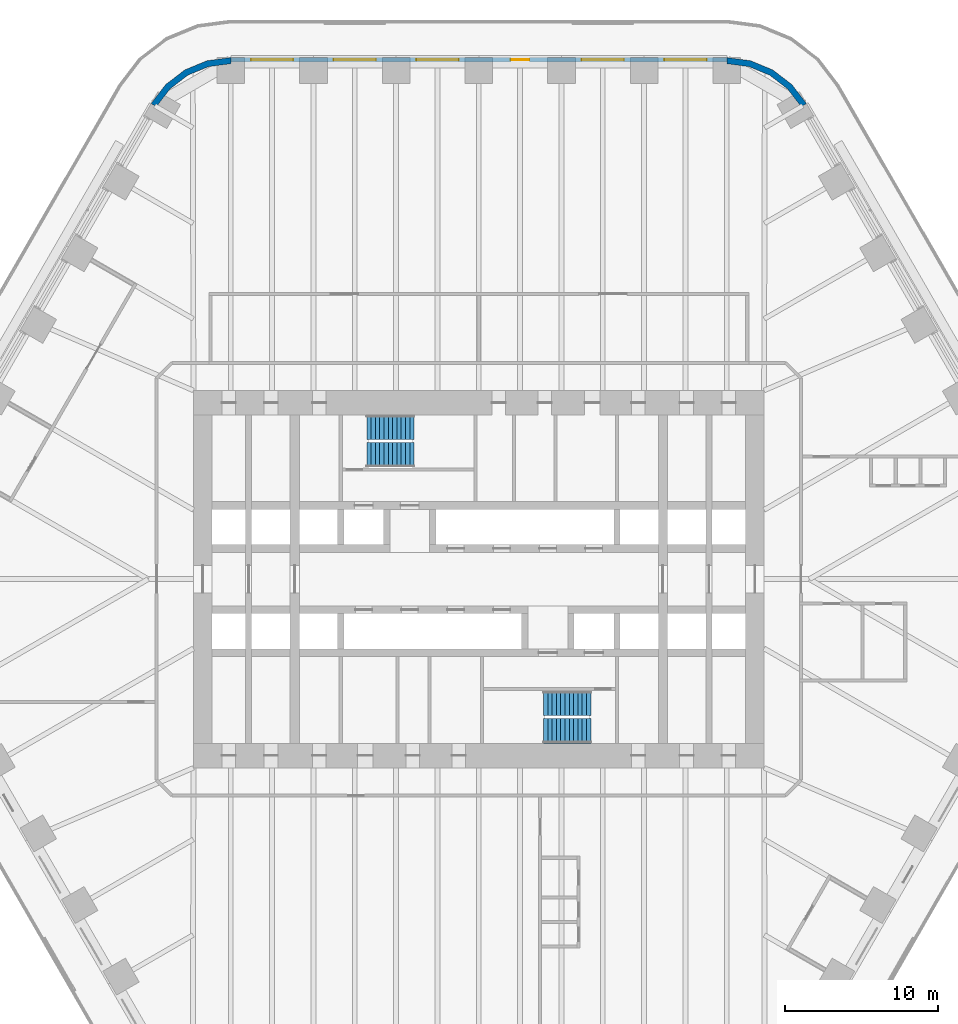
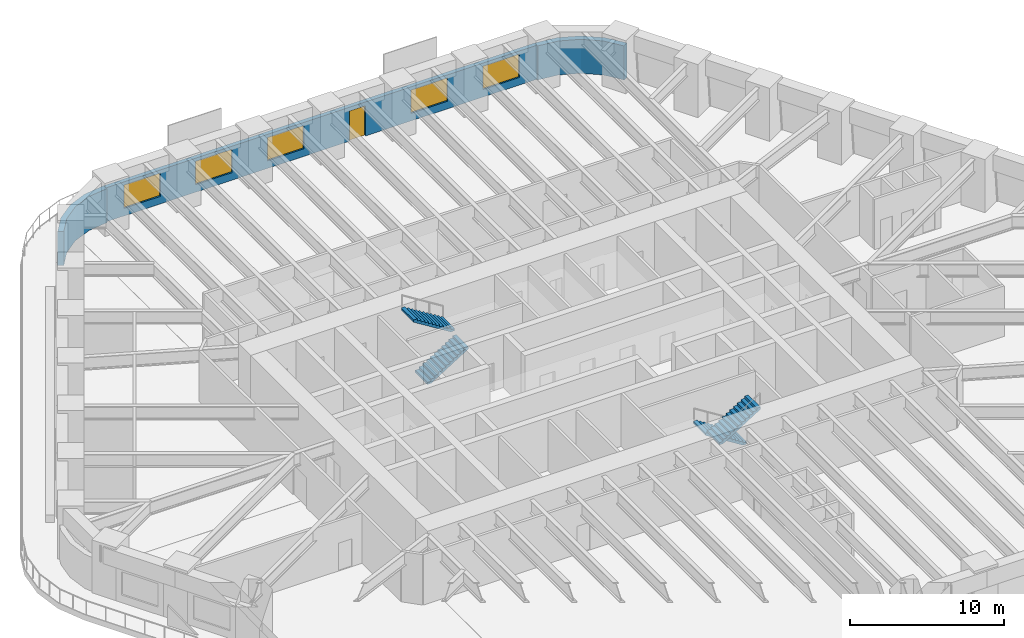
# One storey, part 21 of 24: 5 windows, 4 stair flights, 3 walls, 1 door, 6 openings, 2 elements without a shape of their own.
"""IFC4 building model written with IfcOpenShell, lengths in metres."""

import ifcopenshell
import ifcopenshell.guid

model = None  # the IFC model being written
_history = None  # IfcOwnerHistory: only IFC2X3 demands one
_inside = {}  # id of a spatial element -> (the spatial element, [elements in it])
_under = {}  # id of a project, library or spatial element -> (it, [spatial elements below it])
_declared = {}  # id of a project -> (the project, [libraries it declares])
_typed = {}  # id of a type object -> (the type object, [elements of that type])
_made_of = {}  # id of a material, layer set ... -> (it, [elements and type objects made of it])


def new_model(schema):
    """Start an empty IFC model of exactly this schema.

    Asked for "IFC4X3", IfcOpenShell would pick the latest addendum, in which some entities
    have other attributes; the version numbers below select the first issue.
    IFC2X3 requires an IfcOwnerHistory on every rooted entity: one is made here for all.
    """
    global model, _history
    if schema == "IFC4X3":
        model = ifcopenshell.file(schema_version=(4, 3, 0, 0))
    else:
        model = ifcopenshell.file(schema=schema)
    _inside.clear()
    _under.clear()
    _declared.clear()
    _typed.clear()
    _made_of.clear()
    _history = None
    if model.schema == "IFC2X3":
        org = make("IfcOrganization", Name="unknown")
        user = make(
            "IfcPersonAndOrganization",
            ThePerson=make("IfcPerson", FamilyName="unknown"),
            TheOrganization=org,
        )
        app = make(
            "IfcApplication",
            ApplicationDeveloper=org,
            Version="unknown",
            ApplicationFullName="unknown",
            ApplicationIdentifier="unknown",
        )
        _history = make(
            "IfcOwnerHistory",
            OwningUser=user,
            OwningApplication=app,
            ChangeAction="ADDED",
            CreationDate=0,
        )
    return model


def make(cls, **values):
    """One entity of the class cls with the attributes given. An attribute that is None is left unset."""
    return model.create_entity(
        cls, **{name: value for name, value in values.items() if value is not None}
    )


def rooted(cls, **values):
    """An entity with a GlobalId (a new one), such as an element, a storey or a relation."""
    return make(cls, GlobalId=ifcopenshell.guid.new(), OwnerHistory=_history, **values)


def si_unit(unit_type, name, prefix=None):
    """IfcSIUnit, for example si_unit("LENGTHUNIT", "METRE", prefix="MILLI")."""
    return make("IfcSIUnit", UnitType=unit_type, Prefix=prefix, Name=name)


def assignment(units):
    """IfcUnitAssignment: the units of a project."""
    return None if units is None else make("IfcUnitAssignment", Units=units)


def point(xyz):
    """IfcCartesianPoint."""
    return None if xyz is None else make("IfcCartesianPoint", Coordinates=xyz)


def direction(xyz):
    """IfcDirection."""
    return None if xyz is None else make("IfcDirection", DirectionRatios=xyz)


def frame(location, z_axis=None, x_axis=None):
    """IfcAxis2Placement3D, a coordinate frame: its origin and axes. An axis left out is left unset."""
    return make(
        "IfcAxis2Placement3D",
        Location=point(location),
        Axis=direction(z_axis),
        RefDirection=direction(x_axis),
    )


def frame_2d(location, x_axis=None):
    """IfcAxis2Placement2D, a coordinate frame in the plane: its origin and x axis."""
    return make(
        "IfcAxis2Placement2D", Location=point(location), RefDirection=direction(x_axis)
    )


def origin():
    """The frame at (0, 0, 0) with its axes left unset."""
    return frame((0.0, 0.0, 0.0))


def place(relative_to, where):
    """IfcLocalPlacement: puts the frame where relative to a parent placement (None: the world)."""
    return make(
        "IfcLocalPlacement", PlacementRelTo=relative_to, RelativePlacement=where
    )


def context(
    kind, dimensions, precision=None, world=None, true_north=None, identifier=None
):
    """IfcGeometricRepresentationContext, for example the 3D "Model" context."""
    return make(
        "IfcGeometricRepresentationContext",
        ContextIdentifier=identifier,
        ContextType=kind,
        CoordinateSpaceDimension=dimensions,
        Precision=precision,
        WorldCoordinateSystem=world,
        TrueNorth=true_north,
    )


def subcontext(parent, identifier, kind, view, scale=None):
    """IfcGeometricRepresentationSubContext, for example "Body" below "Model"."""
    return make(
        "IfcGeometricRepresentationSubContext",
        ContextIdentifier=identifier,
        ContextType=kind,
        ParentContext=parent,
        TargetScale=scale,
        TargetView=view,
    )


def project(units=None, contexts=None):
    """IfcProject with its units and contexts."""
    return rooted(
        "IfcProject",
        Name="project",
        RepresentationContexts=contexts,
        UnitsInContext=assignment(units),
    )


def spatial(cls, under=None, at=None, **own):
    """A site, building, storey or space (cls), placed at a placement, below another one or the project."""
    s = rooted(cls, ObjectPlacement=at, **own)
    if under is not None:
        _under.setdefault(under.id(), (under, []))[1].append(s)
    return s


def polyline(points):
    """IfcPolyline through the points."""
    return make("IfcPolyline", Points=[point(p) for p in points])


def profile(cls, at=None, kind="AREA", **sizes):
    """A parametric profile (cls). Its sizes go by their IFC names, for example OverallWidth=200.0."""
    return make(cls, ProfileType=kind, Position=at, **sizes)


def rectangle(**sizes):
    """IfcRectangleProfileDef."""
    return profile("IfcRectangleProfileDef", **sizes)


def outline(outer, holes=None, kind="AREA"):
    """IfcArbitraryClosedProfileDef: a profile drawn as a closed curve; with holes, ...WithVoids."""
    if holes is None:
        return make("IfcArbitraryClosedProfileDef", ProfileType=kind, OuterCurve=outer)
    return make(
        "IfcArbitraryProfileDefWithVoids",
        ProfileType=kind,
        OuterCurve=outer,
        InnerCurves=holes,
    )


def extrude(swept, where, along, depth):
    """IfcExtrudedAreaSolid: the profile swept, set in the frame where, extruded along a direction by depth."""
    return make(
        "IfcExtrudedAreaSolid",
        SweptArea=swept,
        Position=where,
        ExtrudedDirection=direction(along),
        Depth=depth,
    )


def shape(context_of_items, identifier, shape_type, items):
    """IfcShapeRepresentation: the items that make up one representation, for example the "Body"."""
    return make(
        "IfcShapeRepresentation",
        ContextOfItems=context_of_items,
        RepresentationIdentifier=identifier,
        RepresentationType=shape_type,
        Items=items,
    )


def material(Name=None, Category=None):
    """IfcMaterial."""
    return make("IfcMaterial", Name=Name, Category=Category)


def layer(
    of_material, thickness, ventilated=None, Name=None, Category=None, Priority=None
):
    """IfcMaterialLayer: one layer of a wall or slab, of a material (None: an air gap)."""
    return make(
        "IfcMaterialLayer",
        Material=of_material,
        LayerThickness=thickness,
        IsVentilated=ventilated,
        Name=Name,
        Category=Category,
        Priority=Priority,
    )


def layer_set(layers, Name=None):
    """IfcMaterialLayerSet."""
    return make("IfcMaterialLayerSet", MaterialLayers=layers, LayerSetName=Name)


def made_of(thing, what):
    """Note that an element or type object is made of a material, layer set ...; save() writes the relation."""
    if what is not None:
        _made_of.setdefault(what.id(), (what, []))[1].append(thing)
    return thing


def type_object(cls, material=None, **own):
    """A type object (cls), such as IfcWallType, which elements share."""
    return made_of(rooted(cls, **own), material)


def element(
    cls,
    number,
    at=None,
    inside=None,
    cuts=None,
    type_object=None,
    material=None,
    context=None,
    identifier="Body",
    shape_type=None,
    held_by="IfcProductDefinitionShape",
    body=None,
    shapes=None,
    **own,
):
    """One element of the class cls, such as IfcWall. Its Tag is "e" and its number.

    at: its placement. inside: the storey or other place that contains it. cuts: it is an
    opening in that element (IfcRelVoidsElement). A single representation is given by context,
    identifier, shape_type and body (its items); several are given by shapes. held_by: the class
    of the entity that holds the representations. save() writes the other relations.
    """
    e = rooted(cls, Tag="e%d" % number, ObjectPlacement=at, **own)
    if body is not None:
        shapes = [shape(context, identifier, shape_type, body)]
    if shapes is not None:
        e.Representation = make(held_by, Representations=shapes)
    if inside is not None:
        _inside.setdefault(inside.id(), (inside, []))[1].append(e)
    if cuts is not None:
        rooted(
            "IfcRelVoidsElement", RelatingBuildingElement=cuts, RelatedOpeningElement=e
        )
    if type_object is not None:
        _typed.setdefault(type_object.id(), (type_object, []))[1].append(e)
    return made_of(e, material)


def fill(opening, filler):
    """IfcRelFillsElement: the door or window that sits in an opening."""
    return rooted(
        "IfcRelFillsElement",
        RelatingOpeningElement=opening,
        RelatedBuildingElement=filler,
    )


def aggregate(whole, parts):
    """IfcRelAggregates: a whole, such as a stair, and the parts it consists of."""
    return rooted("IfcRelAggregates", RelatingObject=whole, RelatedObjects=parts)


def save(model, path):
    """Write the relations noted so far, then the file.

    IfcRelAggregates (storeys below a building ...), IfcRelContainedInSpatialStructure (elements
    in a storey), IfcRelDefinesByType, IfcRelAssociatesMaterial and IfcRelDeclares: one each for
    every whole, place, type object, material and project.
    """
    for whole, parts in _under.values():
        aggregate(whole, parts)
    for where, things in _inside.values():
        rooted(
            "IfcRelContainedInSpatialStructure",
            RelatedElements=things,
            RelatingStructure=where,
        )
    for kind, things in _typed.values():
        rooted("IfcRelDefinesByType", RelatedObjects=things, RelatingType=kind)
    for what, things in _made_of.values():
        rooted("IfcRelAssociatesMaterial", RelatedObjects=things, RelatingMaterial=what)
    for by, libraries in _declared.values():
        rooted("IfcRelDeclares", RelatingContext=by, RelatedDefinitions=libraries)
    model.write(path)


model = new_model("IFC4")

# Units and contexts
model_context = context("Model", 3, precision=1e-05, world=origin(), true_north=direction((0.0, 1.0)))
body_context = subcontext(model_context, "Body", "Model", "MODEL_VIEW")
ifc_project = project(units=[si_unit("LENGTHUNIT", "METRE"), si_unit("AREAUNIT", "SQUARE_METRE"), si_unit("VOLUMEUNIT", "CUBIC_METRE"), si_unit("PLANEANGLEUNIT", "RADIAN"), si_unit("MASSUNIT", "GRAM", prefix="KILO")], contexts=[model_context])

# Site, building, storey
site_placement = place(None, origin())
site = spatial("IfcSite", under=ifc_project, at=site_placement, CompositionType="ELEMENT")
building_placement = place(site_placement, origin())
building = spatial("IfcBuilding", under=site, at=building_placement, Name="Tarfa Lantern Tower", CompositionType="ELEMENT")
storey_placement = place(building_placement, frame((0.0, 0.0, 94.89990234375)))
storey = spatial("IfcBuildingStorey", under=building, at=storey_placement, Name="L21", CompositionType="ELEMENT", Elevation=94.89990234375)

# Wall, openings, door, windows
ifc_material_1 = material(Name="Limestone cladding on blockwork", Category="masonry")
ifc_layer_1 = layer(ifc_material_1, 0.300048828125)
ifc_layer_set_1 = layer_set([ifc_layer_1], Name="EW1 STONE-CLAD WALL 300")
wall_type_1 = type_object("IfcWallType", Name="EW1 STONE-CLAD WALL 300", PredefinedType="SOLIDWALL", material=ifc_layer_set_1)
wall_1_placement = place(storey_placement, frame((16.165771484375, 33.85009765625, 0.0), z_axis=(0.0, 0.0, 1.0), x_axis=(-1.0, 0.0, 0.0)))
wall_1 = element("IfcWall", 1, at=wall_1_placement, inside=storey, type_object=wall_type_1, Name="Stone wall N", PredefinedType="SOLIDWALL", context=body_context, shape_type="SweptSolid", body=[
    extrude(rectangle(XDim=32.33154296875, YDim=0.300048828125, at=frame_2d((16.165771484375, 0.0))), origin(), (0.0, 0.0, 1.0), 2.7001953125),
])
opening_1_placement = place(wall_1_placement, frame((1.3193359375, 0.0, 0.60009765625)))
opening_1 = element("IfcOpeningElement", 2, at=opening_1_placement, cuts=wall_1, Name="Opening W2", PredefinedType="OPENING", context=body_context, shape_type="SweptSolid", body=[
    extrude(rectangle(XDim=2.75, YDim=1.85009765625, at=frame_2d((1.375, 0.925048828125))), frame((0.0, 0.159912109375, 0.0), z_axis=(0.0, -1.0, 0.0), x_axis=(1.0, 0.0, 0.0)), (0.0, 0.0, 1.0), 0.320068359375),
])
opening_2_placement = place(wall_1_placement, frame((6.7080078125, 0.0, 0.60009765625)))
opening_2 = element("IfcOpeningElement", 3, at=opening_2_placement, cuts=wall_1, Name="Opening W2", PredefinedType="OPENING", context=body_context, shape_type="SweptSolid", body=[
    extrude(rectangle(XDim=2.75, YDim=1.85009765625, at=frame_2d((1.375, 0.925048828125))), frame((0.0, 0.159912109375, 0.0), z_axis=(0.0, -1.0, 0.0), x_axis=(1.0, 0.0, 0.0)), (0.0, 0.0, 1.0), 0.320068359375),
])
opening_3_placement = place(wall_1_placement, frame((12.87158203125, 0.0, 0.0)))
opening_3 = element("IfcOpeningElement", 4, at=opening_3_placement, cuts=wall_1, Name="Opening D48", PredefinedType="OPENING", context=body_context, shape_type="SweptSolid", body=[
    extrude(rectangle(XDim=1.199951171875, YDim=2.39990234375, at=frame_2d((0.60009765625, 1.199951171875))), frame((0.0, 0.159912109375, 0.0), z_axis=(0.0, -1.0, 0.0), x_axis=(1.0, 0.0, 0.0)), (0.0, 0.0, 1.0), 0.320068359375),
])
opening_4_placement = place(wall_1_placement, frame((17.485107421875, 0.0, 0.60009765625)))
opening_4 = element("IfcOpeningElement", 5, at=opening_4_placement, cuts=wall_1, Name="Opening W2", PredefinedType="OPENING", context=body_context, shape_type="SweptSolid", body=[
    extrude(rectangle(XDim=2.75, YDim=1.85009765625, at=frame_2d((1.375, 0.925048828125))), frame((0.0, 0.159912109375, 0.0), z_axis=(0.0, -1.0, 0.0), x_axis=(1.0, 0.0, 0.0)), (0.0, 0.0, 1.0), 0.320068359375),
])
opening_5_placement = place(wall_1_placement, frame((22.873779296875, 0.0, 0.60009765625)))
opening_5 = element("IfcOpeningElement", 6, at=opening_5_placement, cuts=wall_1, Name="Opening W2", PredefinedType="OPENING", context=body_context, shape_type="SweptSolid", body=[
    extrude(rectangle(XDim=2.75, YDim=1.85009765625, at=frame_2d((1.375, 0.925048828125))), frame((0.0, 0.159912109375, 0.0), z_axis=(0.0, -1.0, 0.0), x_axis=(1.0, 0.0, 0.0)), (0.0, 0.0, 1.0), 0.320068359375),
])
opening_6_placement = place(wall_1_placement, frame((28.26220703125, 0.0, 0.60009765625)))
opening_6 = element("IfcOpeningElement", 7, at=opening_6_placement, cuts=wall_1, Name="Opening W2", PredefinedType="OPENING", context=body_context, shape_type="SweptSolid", body=[
    extrude(rectangle(XDim=2.75, YDim=1.85009765625, at=frame_2d((1.375, 0.925048828125))), frame((0.0, 0.159912109375, 0.0), z_axis=(0.0, -1.0, 0.0), x_axis=(1.0, 0.0, 0.0)), (0.0, 0.0, 1.0), 0.320068359375),
])
ifc_material_2 = material(Name="Aluminium framed glazed door", Category="aluminium")
door_type = type_object("IfcDoorType", Name="BE3 BALCONY DOOR 1200x2400", OperationType="SINGLE_SWING_RIGHT", PredefinedType="DOOR", material=ifc_material_2)
door_placement = place(opening_3_placement, origin())
door = element("IfcDoor", 8, at=door_placement, inside=storey, type_object=door_type, Name="Balcony door N", OperationType="SINGLE_SWING_RIGHT", OverallHeight=2.39990234375, OverallWidth=1.199951171875, PredefinedType="DOOR", context=body_context, shape_type="SweptSolid", body=[
    extrude(rectangle(XDim=1.199951171875, YDim=2.39990234375, at=frame_2d((0.60009765625, 1.199951171875))), frame((0.0, 0.02490234375, 0.0), z_axis=(0.0, -1.0, 0.0), x_axis=(1.0, 0.0, 0.0)), (0.0, 0.0, 1.0), 0.050048828125),
])
fill(opening_3, door)
ifc_material_3 = material(Name="Aluminium frame, double glazed", Category="aluminium")
window_type = type_object("IfcWindowType", Name="W2 FULL-HEIGHT GLAZING 2750x1850", PartitioningType="SINGLE_PANEL", PredefinedType="WINDOW", material=ifc_material_3)
window_1_placement = place(opening_1_placement, origin())
window_1 = element("IfcWindow", 9, at=window_1_placement, inside=storey, type_object=window_type, Name="Window N 1", OverallHeight=1.85009765625, OverallWidth=2.75, PartitioningType="SINGLE_PANEL", PredefinedType="WINDOW", context=body_context, shape_type="SweptSolid", body=[
    extrude(rectangle(XDim=2.75, YDim=1.85009765625, at=frame_2d((1.375, 0.925048828125))), frame((0.0, 0.030029296875, 0.0), z_axis=(0.0, -1.0, 0.0), x_axis=(1.0, 0.0, 0.0)), (0.0, 0.0, 1.0), 0.06005859375),
])
fill(opening_1, window_1)
window_2_placement = place(opening_2_placement, origin())
window_2 = element("IfcWindow", 10, at=window_2_placement, inside=storey, type_object=window_type, Name="Window N 2", OverallHeight=1.85009765625, OverallWidth=2.75, PartitioningType="SINGLE_PANEL", PredefinedType="WINDOW", context=body_context, shape_type="SweptSolid", body=[
    extrude(rectangle(XDim=2.75, YDim=1.85009765625, at=frame_2d((1.375, 0.925048828125))), frame((0.0, 0.030029296875, 0.0), z_axis=(0.0, -1.0, 0.0), x_axis=(1.0, 0.0, 0.0)), (0.0, 0.0, 1.0), 0.06005859375),
])
fill(opening_2, window_2)
window_3_placement = place(opening_4_placement, origin())
window_3 = element("IfcWindow", 11, at=window_3_placement, inside=storey, type_object=window_type, Name="Window N 4", OverallHeight=1.85009765625, OverallWidth=2.75, PartitioningType="SINGLE_PANEL", PredefinedType="WINDOW", context=body_context, shape_type="SweptSolid", body=[
    extrude(rectangle(XDim=2.75, YDim=1.85009765625, at=frame_2d((1.375, 0.925048828125))), frame((0.0, 0.030029296875, 0.0), z_axis=(0.0, -1.0, 0.0), x_axis=(1.0, 0.0, 0.0)), (0.0, 0.0, 1.0), 0.06005859375),
])
fill(opening_4, window_3)
window_4_placement = place(opening_5_placement, origin())
window_4 = element("IfcWindow", 12, at=window_4_placement, inside=storey, type_object=window_type, Name="Window N 5", OverallHeight=1.85009765625, OverallWidth=2.75, PartitioningType="SINGLE_PANEL", PredefinedType="WINDOW", context=body_context, shape_type="SweptSolid", body=[
    extrude(rectangle(XDim=2.75, YDim=1.85009765625, at=frame_2d((1.375, 0.925048828125))), frame((0.0, 0.030029296875, 0.0), z_axis=(0.0, -1.0, 0.0), x_axis=(1.0, 0.0, 0.0)), (0.0, 0.0, 1.0), 0.06005859375),
])
fill(opening_5, window_4)
window_5_placement = place(opening_6_placement, origin())
window_5 = element("IfcWindow", 13, at=window_5_placement, inside=storey, type_object=window_type, Name="Window N 6", OverallHeight=1.85009765625, OverallWidth=2.75, PartitioningType="SINGLE_PANEL", PredefinedType="WINDOW", context=body_context, shape_type="SweptSolid", body=[
    extrude(rectangle(XDim=2.75, YDim=1.85009765625, at=frame_2d((1.375, 0.925048828125))), frame((0.0, 0.030029296875, 0.0), z_axis=(0.0, -1.0, 0.0), x_axis=(1.0, 0.0, 0.0)), (0.0, 0.0, 1.0), 0.06005859375),
])
fill(opening_6, window_5)

# Walls
ifc_layer_2 = layer(ifc_material_1, 0.39990234375)
ifc_layer_set_2 = layer_set([ifc_layer_2], Name="EW2 CURVED STONE CORNER 400")
wall_type_2 = type_object("IfcWallType", Name="EW2 CURVED STONE CORNER 400", PredefinedType="SOLIDWALL", material=ifc_layer_set_2)
wall_2_placement = place(storey_placement, origin())
element("IfcWall", 14, at=wall_2_placement, inside=storey, type_object=wall_type_2, Name="Stone corner NE-N", PredefinedType="SOLIDWALL", context=body_context, shape_type="SweptSolid", body=[
    extrude(outline(polyline([(21.362060546875, 31.0), (20.408447265625, 32.24267578125), (19.165771484375, 33.196044921875), (17.71875, 33.795654296875), (16.165771484375, 34.0), (16.165771484375, 33.60009765625), (17.615234375, 33.4091796875), (18.9658203125, 32.849853515625), (20.12548828125, 31.959716796875), (21.015625, 30.800048828125), (21.362060546875, 31.0)])), origin(), (0.0, 0.0, 1.0), 2.7001953125),
])
wall_3_placement = place(storey_placement, origin())
element("IfcWall", 15, at=wall_3_placement, inside=storey, type_object=wall_type_2, Name="Stone corner N-NW", PredefinedType="SOLIDWALL", context=body_context, shape_type="SweptSolid", body=[
    extrude(outline(polyline([(-16.165771484375, 34.0), (-17.71875, 33.795654296875), (-19.165771484375, 33.196044921875), (-20.408447265625, 32.24267578125), (-21.362060546875, 31.0), (-21.015625, 30.800048828125), (-20.12548828125, 31.959716796875), (-18.9658203125, 32.849853515625), (-17.615234375, 33.4091796875), (-16.165771484375, 33.60009765625), (-16.165771484375, 34.0)])), origin(), (0.0, 0.0, 1.0), 2.7001953125),
])

# Stair, stair flights
ifc_material_4 = material(Name="Concrete C40/50", Category="concrete")
stair_type = type_object("IfcStairType", Name="ST-T10 HALF-TURN STAIR 4200 RISE", PredefinedType="HALF_TURN_STAIR", material=ifc_material_4)
stair_1_placement = place(storey_placement, origin())
stair_1 = element("IfcStair", 16, at=stair_1_placement, inside=storey, type_object=stair_type, Name="Stair ST1", PredefinedType="HALF_TURN_STAIR")
stair_flight_type = type_object("IfcStairFlightType", Name="SF1 STAIR FLIGHT", PredefinedType="STRAIGHT", material=ifc_material_4)
stair_flight_1_placement = place(storey_placement, frame((-7.300048828125, 8.10009765625, 0.0), z_axis=(0.0, 0.0, 1.0), x_axis=(1.0, 0.0, 0.0)))
stair_flight_1 = element("IfcStairFlight", 17, at=stair_flight_1_placement, type_object=stair_flight_type, Name="ST1 flight 1", NumberOfRisers=12, NumberOfTreads=11, PredefinedType="STRAIGHT", RiserHeight=0.175, TreadLength=0.28, context=body_context, shape_type="SweptSolid", body=[
    extrude(outline(polyline([(0.0, 0.0), (0.0, 0.175048828125), (0.280029296875, 0.175048828125), (0.280029296875, 0.35009765625), (0.56005859375, 0.35009765625), (0.56005859375, 0.52490234375), (0.840087890625, 0.52490234375), (0.840087890625, 0.699951171875), (1.1201171875, 0.699951171875), (1.1201171875, 0.875), (1.39990234375, 0.875), (1.39990234375, 1.050048828125), (1.679931640625, 1.050048828125), (1.679931640625, 1.22509765625), (1.9599609375, 1.22509765625), (1.9599609375, 1.39990234375), (2.239990234375, 1.39990234375), (2.239990234375, 1.574951171875), (2.52001953125, 1.574951171875), (2.52001953125, 1.75), (2.800048828125, 1.75), (2.800048828125, 1.925048828125), (3.080078125, 1.925048828125), (3.080078125, 2.10009765625), (3.080078125, 1.748291015625), (0.28271484375, 0.0), (0.0, 0.0)])), frame((0.0, 0.800048828125, 0.0), z_axis=(0.0, -1.0, 0.0), x_axis=(1.0, 0.0, 0.0)), (0.0, 0.0, 1.0), 1.60009765625),
])
stair_flight_2_placement = place(storey_placement, frame((-4.219970703125, 9.89990234375, 2.10009765625), z_axis=(0.0, 0.0, 1.0), x_axis=(-1.0, 0.0, 0.0)))
stair_flight_2 = element("IfcStairFlight", 18, at=stair_flight_2_placement, type_object=stair_flight_type, Name="ST1 flight 2", NumberOfRisers=12, NumberOfTreads=11, PredefinedType="STRAIGHT", RiserHeight=0.175, TreadLength=0.28, context=body_context, shape_type="SweptSolid", body=[
    extrude(outline(polyline([(0.0, 0.0), (0.0, 0.175048828125), (0.280029296875, 0.175048828125), (0.280029296875, 0.35009765625), (0.56005859375, 0.35009765625), (0.56005859375, 0.52490234375), (0.840087890625, 0.52490234375), (0.840087890625, 0.699951171875), (1.1201171875, 0.699951171875), (1.1201171875, 0.875), (1.39990234375, 0.875), (1.39990234375, 1.050048828125), (1.679931640625, 1.050048828125), (1.679931640625, 1.22509765625), (1.9599609375, 1.22509765625), (1.9599609375, 1.39990234375), (2.239990234375, 1.39990234375), (2.239990234375, 1.574951171875), (2.52001953125, 1.574951171875), (2.52001953125, 1.75), (2.800048828125, 1.75), (2.800048828125, 1.925048828125), (3.080078125, 1.925048828125), (3.080078125, 2.10009765625), (3.080078125, 1.748291015625), (0.28271484375, 0.0), (0.0, 0.0)])), frame((0.0, 0.800048828125, 0.0), z_axis=(0.0, -1.0, 0.0), x_axis=(1.0, 0.0, 0.0)), (0.0, 0.0, 1.0), 1.60009765625),
])
aggregate(stair_1, [stair_flight_1, stair_flight_2])

stair_2_placement = place(storey_placement, origin())
stair_2 = element("IfcStair", 19, at=stair_2_placement, inside=storey, type_object=stair_type, Name="Stair ST2", PredefinedType="HALF_TURN_STAIR")
stair_flight_3_placement = place(storey_placement, frame((7.300048828125, -8.10009765625, 0.0), z_axis=(0.0, 0.0, 1.0), x_axis=(-1.0, 0.0, 0.0)))
stair_flight_3 = element("IfcStairFlight", 20, at=stair_flight_3_placement, type_object=stair_flight_type, Name="ST2 flight 1", NumberOfRisers=12, NumberOfTreads=11, PredefinedType="STRAIGHT", RiserHeight=0.175, TreadLength=0.28, context=body_context, shape_type="SweptSolid", body=[
    extrude(outline(polyline([(0.0, 0.0), (0.0, 0.175048828125), (0.280029296875, 0.175048828125), (0.280029296875, 0.35009765625), (0.56005859375, 0.35009765625), (0.56005859375, 0.52490234375), (0.840087890625, 0.52490234375), (0.840087890625, 0.699951171875), (1.1201171875, 0.699951171875), (1.1201171875, 0.875), (1.39990234375, 0.875), (1.39990234375, 1.050048828125), (1.679931640625, 1.050048828125), (1.679931640625, 1.22509765625), (1.9599609375, 1.22509765625), (1.9599609375, 1.39990234375), (2.239990234375, 1.39990234375), (2.239990234375, 1.574951171875), (2.52001953125, 1.574951171875), (2.52001953125, 1.75), (2.800048828125, 1.75), (2.800048828125, 1.925048828125), (3.080078125, 1.925048828125), (3.080078125, 2.10009765625), (3.080078125, 1.748291015625), (0.28271484375, 0.0), (0.0, 0.0)])), frame((0.0, 0.800048828125, 0.0), z_axis=(0.0, -1.0, 0.0), x_axis=(1.0, 0.0, 0.0)), (0.0, 0.0, 1.0), 1.60009765625),
])
stair_flight_4_placement = place(storey_placement, frame((4.219970703125, -9.89990234375, 2.10009765625), z_axis=(0.0, 0.0, 1.0), x_axis=(1.0, 0.0, 0.0)))
stair_flight_4 = element("IfcStairFlight", 21, at=stair_flight_4_placement, type_object=stair_flight_type, Name="ST2 flight 2", NumberOfRisers=12, NumberOfTreads=11, PredefinedType="STRAIGHT", RiserHeight=0.175, TreadLength=0.28, context=body_context, shape_type="SweptSolid", body=[
    extrude(outline(polyline([(0.0, 0.0), (0.0, 0.175048828125), (0.280029296875, 0.175048828125), (0.280029296875, 0.35009765625), (0.56005859375, 0.35009765625), (0.56005859375, 0.52490234375), (0.840087890625, 0.52490234375), (0.840087890625, 0.699951171875), (1.1201171875, 0.699951171875), (1.1201171875, 0.875), (1.39990234375, 0.875), (1.39990234375, 1.050048828125), (1.679931640625, 1.050048828125), (1.679931640625, 1.22509765625), (1.9599609375, 1.22509765625), (1.9599609375, 1.39990234375), (2.239990234375, 1.39990234375), (2.239990234375, 1.574951171875), (2.52001953125, 1.574951171875), (2.52001953125, 1.75), (2.800048828125, 1.75), (2.800048828125, 1.925048828125), (3.080078125, 1.925048828125), (3.080078125, 2.10009765625), (3.080078125, 1.748291015625), (0.28271484375, 0.0), (0.0, 0.0)])), frame((0.0, 0.800048828125, 0.0), z_axis=(0.0, -1.0, 0.0), x_axis=(1.0, 0.0, 0.0)), (0.0, 0.0, 1.0), 1.60009765625),
])
aggregate(stair_2, [stair_flight_3, stair_flight_4])

save(model, "model.ifc")
